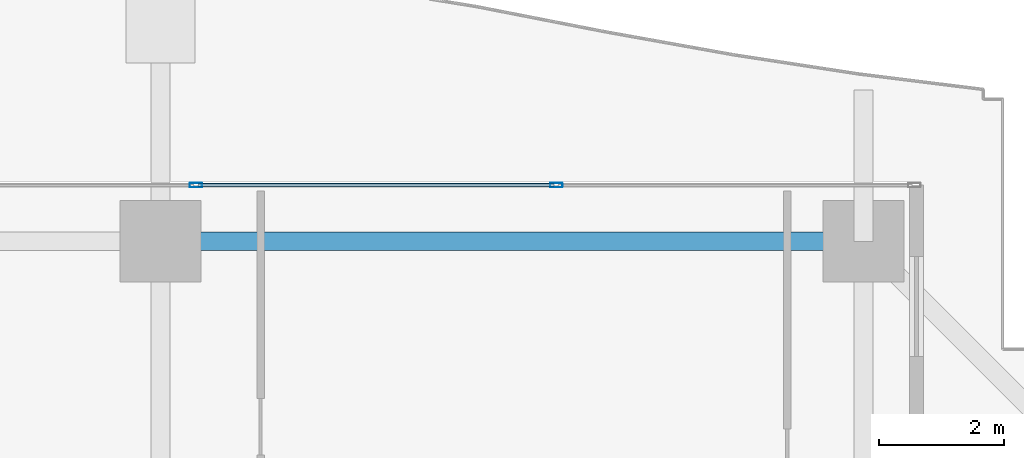
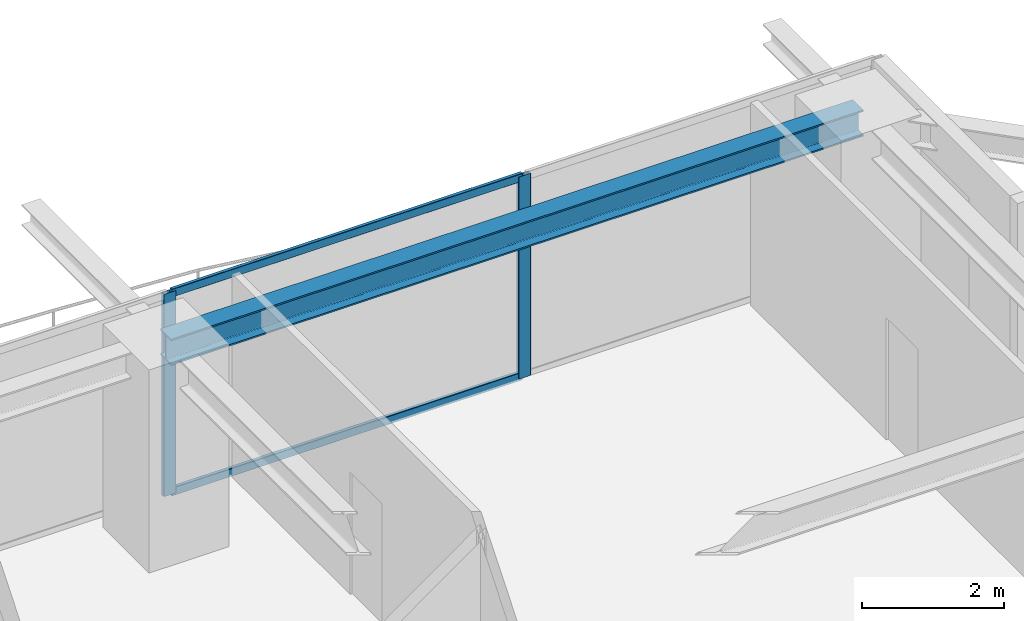
# One storey, part 22 of 39: 4 members, 1 beam, 1 element without a shape of its own.
"""IFC4 building model written with IfcOpenShell, lengths in metres."""

from ifc_helpers import new_model, si_unit, direction, frame, origin, origin_2d, place, context, subcontext, project, spatial, hollow_rectangle, i_section, extrude, source, transform, mapped, material, layer, layer_set, material_profile, profile_set, type_object, element, aggregate, save


model = new_model("IFC4")

# Units and contexts
model_context = context("Model", 3, precision=1e-05, world=origin(), true_north=direction((0.0, 1.0)))
body_context = subcontext(model_context, "Body", "Model", "MODEL_VIEW")
ifc_project = project(units=[si_unit("LENGTHUNIT", "METRE"), si_unit("AREAUNIT", "SQUARE_METRE"), si_unit("VOLUMEUNIT", "CUBIC_METRE"), si_unit("PLANEANGLEUNIT", "RADIAN"), si_unit("MASSUNIT", "GRAM", prefix="KILO")], contexts=[model_context])

# Site, building, storey
site_placement = place(None, origin())
site = spatial("IfcSite", under=ifc_project, at=site_placement, CompositionType="ELEMENT")
building_placement = place(site_placement, origin())
building = spatial("IfcBuilding", under=site, at=building_placement, Name="Serunith Strait Residences", CompositionType="ELEMENT")
storey_placement = place(building_placement, frame((0.0, 0.0, 123.89990234375)))
storey = spatial("IfcBuildingStorey", under=building, at=storey_placement, Name="L30", CompositionType="ELEMENT", Elevation=123.89990234375)

# Beam
ifc_material_1 = material(Name="Steel S355J2", Category="steel")
ifc_material_profile_1 = material_profile(ifc_material_1, i_section(OverallWidth=0.300048828125, OverallDepth=0.449951171875, WebThickness=0.013916015625, FlangeThickness=0.02587890625, FilletRadius=0.027099609375, at=origin_2d()), Name="HEB 450")
ifc_profile_set_1 = profile_set([ifc_material_profile_1], Name="Steel S355J2")
beam_type = type_object("IfcBeamType", Name="BM-HEB450", PredefinedType="BEAM", material=ifc_profile_set_1)
shared_shape_1 = source(origin(), body_context, "Body", "SweptSolid", [
    extrude(i_section(OverallWidth=0.300048828125, OverallDepth=0.449951171875, WebThickness=0.013916015625, FlangeThickness=0.02587890625, FilletRadius=0.027099609375, at=origin_2d()), origin(), (0.0, 0.0, 1.0), 11.25),
])
beam_placement = place(storey_placement, frame((48.14990234375, 48.10009765625, 3.26220703125), z_axis=(-1.0, 0.0, 0.0), x_axis=(0.0, -1.0, 0.0)))
element("IfcBeam", 1, at=beam_placement, inside=storey, type_object=beam_type, Name="L30 Perimeter Ring Beam 09", PredefinedType="BEAM", context=body_context, shape_type="MappedRepresentation", body=[
    mapped(shared_shape_1, transform((0.0, 0.0, 0.0), scale=1.0)),
])

# Curtain wall, members
ifc_material_2 = material(Name="Pale-Champagne Anodised Aluminium", Category="aluminium")
ifc_layer = layer(ifc_material_2, 0.199951171875, Name="Pale-Champagne Anodised Aluminium")
ifc_layer_set = layer_set([ifc_layer], Name="Pale-Champagne Anodised Aluminium")
curtain_wall_type = type_object("IfcCurtainWallType", Name="CW-SYS2", PredefinedType="NOTDEFINED", material=ifc_layer_set)
curtain_wall_placement = place(storey_placement, origin())
curtain_wall = element("IfcCurtainWall", 2, at=curtain_wall_placement, inside=storey, type_object=curtain_wall_type, Name="L30 N Unitised Fritted Curtain Wall", PredefinedType="NOTDEFINED")
ifc_material_profile_2 = material_profile(ifc_material_2, hollow_rectangle(XDim=0.070068359375, YDim=0.199951171875, WallThickness=0.00390625, InnerFilletRadius=0.006103515625, OuterFilletRadius=0.010009765625, at=origin_2d()), Name="ALU 200x70x4")
ifc_profile_set_2 = profile_set([ifc_material_profile_2], Name="Pale-Champagne Anodised Aluminium")
member_type_1 = type_object("IfcMemberType", Name="CW-SYS2-MULL", PredefinedType="MULLION", material=ifc_profile_set_2)
shared_shape_2 = source(origin(), body_context, "Body", "SweptSolid", [
    extrude(hollow_rectangle(XDim=0.070068359375, YDim=0.199951171875, WallThickness=0.00390625, InnerFilletRadius=0.006103515625, OuterFilletRadius=0.010009765625, at=origin_2d()), origin(), (0.0, 0.0, 1.0), 3.47509765625),
])
member_1_placement = place(storey_placement, frame((43.2333984375, 49.0, 0.0), z_axis=(0.0, 0.0, 1.0), x_axis=(0.0, -1.0, 0.0)))
member_1 = element("IfcMember", 3, at=member_1_placement, type_object=member_type_1, Name="CW-2 mullion 2", PredefinedType="MULLION", context=body_context, shape_type="MappedRepresentation", body=[
    mapped(shared_shape_2, transform((0.0, 0.0, 0.0), scale=1.0)),
])
member_2_placement = place(storey_placement, frame((37.466552734375, 49.0, 0.0), z_axis=(0.0, 0.0, 1.0), x_axis=(0.0, -1.0, 0.0)))
member_2 = element("IfcMember", 4, at=member_2_placement, type_object=member_type_1, Name="CW-2 mullion 3", PredefinedType="MULLION", context=body_context, shape_type="MappedRepresentation", body=[
    mapped(shared_shape_2, transform((0.0, 0.0, 0.0), scale=1.0)),
])
ifc_material_profile_3 = material_profile(ifc_material_2, hollow_rectangle(XDim=0.06005859375, YDim=0.139892578125, WallThickness=0.00341796875, InnerFilletRadius=0.00537109375, OuterFilletRadius=0.0087890625, at=origin_2d()), Name="ALU 140x60x3.5")
ifc_profile_set_3 = profile_set([ifc_material_profile_3], Name="Pale-Champagne Anodised Aluminium")
member_type_2 = type_object("IfcMemberType", Name="CW-SYS2-TRAN", PredefinedType="USERDEFINED", material=ifc_profile_set_3)
shared_shape_3 = source(origin(), body_context, "Body", "SweptSolid", [
    extrude(hollow_rectangle(XDim=0.06005859375, YDim=0.139892578125, WallThickness=0.00341796875, InnerFilletRadius=0.00537109375, OuterFilletRadius=0.0087890625, at=origin_2d()), origin(), (0.0, 0.0, 1.0), 5.696533203125),
])
member_3_placement = place(storey_placement, frame((43.1982421875, 49.0, 0.030029296875), z_axis=(-1.0, 0.0, 0.0), x_axis=(0.0, -1.0, 0.0)))
member_3 = element("IfcMember", 5, at=member_3_placement, type_object=member_type_2, Name="CW-2 transom 2.1", ObjectType="TRANSOM", PredefinedType="USERDEFINED", context=body_context, shape_type="MappedRepresentation", body=[
    mapped(shared_shape_3, transform((0.0, 0.0, 0.0), scale=1.0)),
])
member_4_placement = place(storey_placement, frame((43.1982421875, 49.0, 3.445068359375), z_axis=(-1.0, 0.0, 0.0), x_axis=(0.0, -1.0, 0.0)))
member_4 = element("IfcMember", 6, at=member_4_placement, type_object=member_type_2, Name="CW-2 transom 2.2", ObjectType="TRANSOM", PredefinedType="USERDEFINED", context=body_context, shape_type="MappedRepresentation", body=[
    mapped(shared_shape_3, transform((0.0, 0.0, 0.0), scale=1.0)),
])
aggregate(curtain_wall, [member_1, member_2, member_3, member_4])

save(model, "model.ifc")
